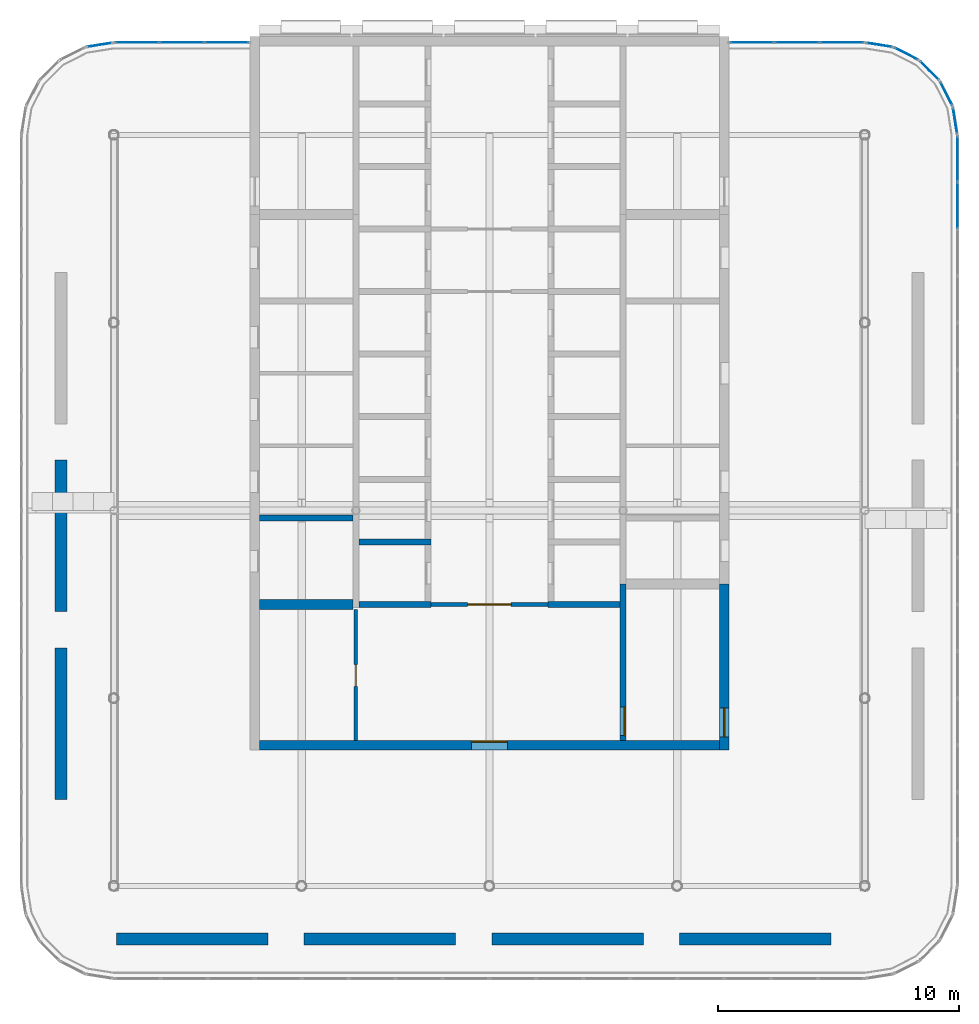
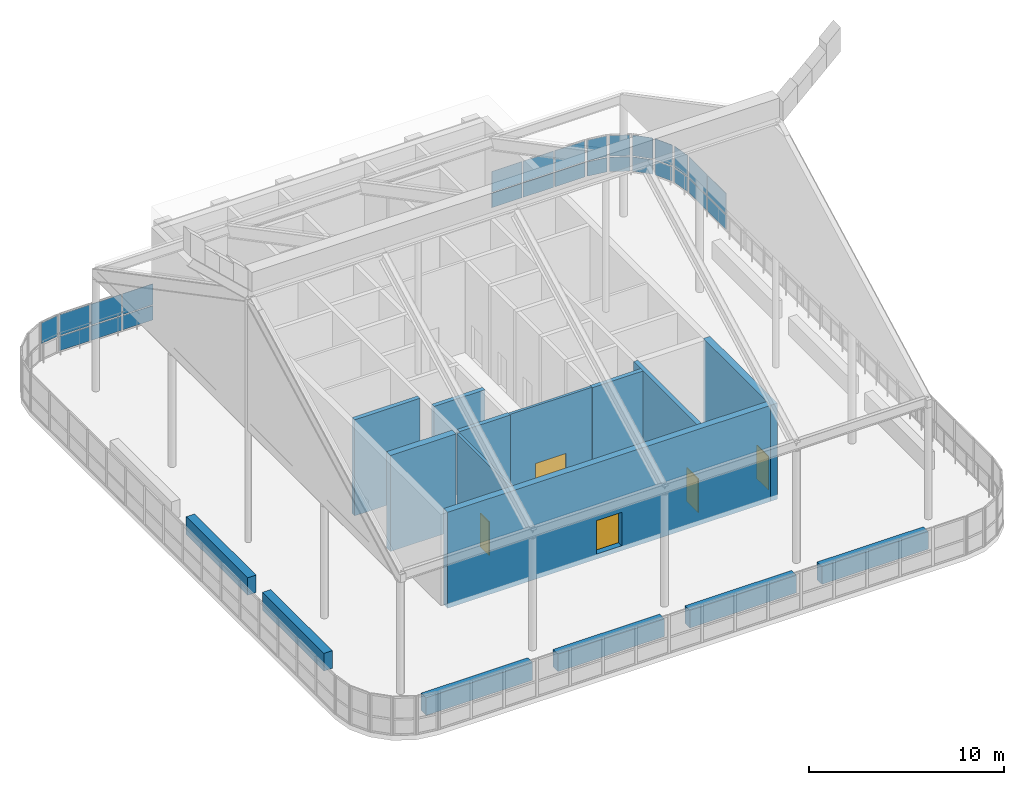
# One storey, part 15 of 19: 27 plates, 16 walls, 5 doors, 5 openings, 9 elements without a shape of their own.
"""IFC4 building model written with IfcOpenShell, lengths in metres."""

from ifc_helpers import new_model, si_unit, direction, frame, frame_2d, origin, origin_2d, place, context, subcontext, project, spatial, rectangle, extrude, material, layer, layer_set, type_object, element, fill, aggregate, save


model = new_model("IFC4")

# Units and contexts
model_context = context("Model", 3, precision=1e-05, world=origin(), true_north=direction((0.0, 1.0)))
body_context = subcontext(model_context, "Body", "Model", "MODEL_VIEW")
ifc_project = project(units=[si_unit("LENGTHUNIT", "METRE"), si_unit("AREAUNIT", "SQUARE_METRE"), si_unit("VOLUMEUNIT", "CUBIC_METRE"), si_unit("PLANEANGLEUNIT", "RADIAN"), si_unit("MASSUNIT", "GRAM", prefix="KILO")], contexts=[model_context])

# Site, building, storey
site_placement = place(None, origin())
site = spatial("IfcSite", under=ifc_project, at=site_placement, CompositionType="ELEMENT")
building_placement = place(site_placement, origin())
building = spatial("IfcBuilding", under=site, at=building_placement, Name="Ludao Terraces", CompositionType="ELEMENT")
storey_placement = place(building_placement, frame((0.0, 0.0, 266.39990234375)))
storey = spatial("IfcBuildingStorey", under=building, at=storey_placement, Name="L73", CompositionType="ELEMENT", Elevation=266.39990234375)

# Curtain wall, plates
ifc_material_1 = material(Name="Aluminium curtain wall with fritted glass", Category="aluminium")
curtain_wall_type = type_object("IfcCurtainWallType", Name="ENV CW6 crown screen glazing", PredefinedType="NOTDEFINED", material=ifc_material_1)
curtain_wall_1_placement = place(storey_placement, origin())
curtain_wall_1 = element("IfcCurtainWall", 1, at=curtain_wall_1_placement, inside=storey, type_object=curtain_wall_type, Name="Deck windscreen E1", PredefinedType="NOTDEFINED")
ifc_material_2 = material(Name="Fritted glass panel", Category="glass")
ifc_layer_1 = layer(ifc_material_2, 0.030029296875)
ifc_layer_set_1 = layer_set([ifc_layer_1], Name="ENV CW6 glass panel")
plate_type = type_object("IfcPlateType", Name="ENV CW6 glass panel", PredefinedType="CURTAIN_PANEL", material=ifc_layer_set_1)
plate_1_placement = place(storey_placement, frame((104.43994140625, 77.675048828125, 0.070068359375), z_axis=(0.0, 0.0, 1.0), x_axis=(0.0, 1.0, 0.0)))
plate_1 = element("IfcPlate", 2, at=plate_1_placement, type_object=plate_type, Name="CW6 panel 15.1", PredefinedType="CURTAIN_PANEL", context=body_context, shape_type="SweptSolid", body=[
    extrude(rectangle(XDim=1.8798828125, YDim=0.030029296875, at=origin_2d()), origin(), (0.0, 0.0, 1.0), 0.89501953125),
])
plate_2_placement = place(storey_placement, frame((104.43994140625, 77.675048828125, 1.03515625), z_axis=(0.0, 0.0, 1.0), x_axis=(0.0, 1.0, 0.0)))
plate_2 = element("IfcPlate", 3, at=plate_2_placement, type_object=plate_type, Name="CW6 panel 15.2", PredefinedType="CURTAIN_PANEL", context=body_context, shape_type="SweptSolid", body=[
    extrude(rectangle(XDim=1.8798828125, YDim=0.030029296875, at=origin_2d()), origin(), (0.0, 0.0, 1.0), 1.294921875),
])
plate_3_placement = place(storey_placement, frame((104.43994140625, 79.607421875, 0.070068359375), z_axis=(0.0, 0.0, 1.0), x_axis=(0.0, 1.0, 0.0)))
plate_3 = element("IfcPlate", 4, at=plate_3_placement, type_object=plate_type, Name="CW6 panel 16.1", PredefinedType="CURTAIN_PANEL", context=body_context, shape_type="SweptSolid", body=[
    extrude(rectangle(XDim=1.844970703125, YDim=0.030029296875, at=origin_2d()), origin(), (0.0, 0.0, 1.0), 0.89501953125),
])
plate_4_placement = place(storey_placement, frame((104.43994140625, 79.607421875, 1.03515625), z_axis=(0.0, 0.0, 1.0), x_axis=(0.0, 1.0, 0.0)))
plate_4 = element("IfcPlate", 5, at=plate_4_placement, type_object=plate_type, Name="CW6 panel 16.2", PredefinedType="CURTAIN_PANEL", context=body_context, shape_type="SweptSolid", body=[
    extrude(rectangle(XDim=1.844970703125, YDim=0.030029296875, at=origin_2d()), origin(), (0.0, 0.0, 1.0), 1.294921875),
])
aggregate(curtain_wall_1, [plate_1, plate_2, plate_3, plate_4])

curtain_wall_2_placement = place(storey_placement, origin())
curtain_wall_2 = element("IfcCurtainWall", 6, at=curtain_wall_2_placement, inside=storey, type_object=curtain_wall_type, Name="Deck windscreen N1", PredefinedType="NOTDEFINED")
plate_5_placement = place(storey_placement, frame((70.359130859375, 84.43994140625, 0.070068359375), z_axis=(0.0, 0.0, 1.0), x_axis=(1.0, 0.0, 0.0)))
plate_5 = element("IfcPlate", 7, at=plate_5_placement, type_object=plate_type, Name="CW6 panel 1.1", PredefinedType="CURTAIN_PANEL", context=body_context, shape_type="SweptSolid", body=[
    extrude(rectangle(XDim=1.7783203125, YDim=0.030029296875, at=origin_2d()), origin(), (0.0, 0.0, 1.0), 0.89501953125),
])
plate_6_placement = place(storey_placement, frame((70.359130859375, 84.43994140625, 1.03515625), z_axis=(0.0, 0.0, 1.0), x_axis=(1.0, 0.0, 0.0)))
plate_6 = element("IfcPlate", 8, at=plate_6_placement, type_object=plate_type, Name="CW6 panel 1.2", PredefinedType="CURTAIN_PANEL", context=body_context, shape_type="SweptSolid", body=[
    extrude(rectangle(XDim=1.7783203125, YDim=0.030029296875, at=origin_2d()), origin(), (0.0, 0.0, 1.0), 1.294921875),
])
plate_7_placement = place(storey_placement, frame((72.22509765625, 84.43994140625, 0.070068359375), z_axis=(0.0, 0.0, 1.0), x_axis=(1.0, 0.0, 0.0)))
plate_7 = element("IfcPlate", 9, at=plate_7_placement, type_object=plate_type, Name="CW6 panel 2.1", PredefinedType="CURTAIN_PANEL", context=body_context, shape_type="SweptSolid", body=[
    extrude(rectangle(XDim=1.813232421875, YDim=0.030029296875, at=origin_2d()), origin(), (0.0, 0.0, 1.0), 0.89501953125),
])
plate_8_placement = place(storey_placement, frame((72.22509765625, 84.43994140625, 1.03515625), z_axis=(0.0, 0.0, 1.0), x_axis=(1.0, 0.0, 0.0)))
plate_8 = element("IfcPlate", 10, at=plate_8_placement, type_object=plate_type, Name="CW6 panel 2.2", PredefinedType="CURTAIN_PANEL", context=body_context, shape_type="SweptSolid", body=[
    extrude(rectangle(XDim=1.813232421875, YDim=0.030029296875, at=origin_2d()), origin(), (0.0, 0.0, 1.0), 1.294921875),
])
plate_9_placement = place(storey_placement, frame((74.0908203125, 84.43994140625, 0.070068359375), z_axis=(0.0, 0.0, 1.0), x_axis=(1.0, 0.0, 0.0)))
plate_9 = element("IfcPlate", 11, at=plate_9_placement, type_object=plate_type, Name="CW6 panel 3.1", PredefinedType="CURTAIN_PANEL", context=body_context, shape_type="SweptSolid", body=[
    extrude(rectangle(XDim=1.7783203125, YDim=0.030029296875, at=origin_2d()), origin(), (0.0, 0.0, 1.0), 0.89501953125),
])
plate_10_placement = place(storey_placement, frame((74.0908203125, 84.43994140625, 1.03515625), z_axis=(0.0, 0.0, 1.0), x_axis=(1.0, 0.0, 0.0)))
plate_10 = element("IfcPlate", 12, at=plate_10_placement, type_object=plate_type, Name="CW6 panel 3.2", PredefinedType="CURTAIN_PANEL", context=body_context, shape_type="SweptSolid", body=[
    extrude(rectangle(XDim=1.7783203125, YDim=0.030029296875, at=origin_2d()), origin(), (0.0, 0.0, 1.0), 1.294921875),
])
aggregate(curtain_wall_2, [plate_5, plate_6, plate_7, plate_8, plate_9, plate_10])

curtain_wall_3_placement = place(storey_placement, origin())
curtain_wall_3 = element("IfcCurtainWall", 13, at=curtain_wall_3_placement, inside=storey, type_object=curtain_wall_type, Name="Deck windscreen N2", PredefinedType="NOTDEFINED")
plate_11_placement = place(storey_placement, frame((95.9091796875, 84.43994140625, 0.070068359375), z_axis=(0.0, 0.0, 1.0), x_axis=(1.0, 0.0, 0.0)))
plate_11 = element("IfcPlate", 14, at=plate_11_placement, type_object=plate_type, Name="CW6 panel 1.1", PredefinedType="CURTAIN_PANEL", context=body_context, shape_type="SweptSolid", body=[
    extrude(rectangle(XDim=1.7783203125, YDim=0.030029296875, at=origin_2d()), origin(), (0.0, 0.0, 1.0), 0.89501953125),
])
plate_12_placement = place(storey_placement, frame((95.9091796875, 84.43994140625, 1.03515625), z_axis=(0.0, 0.0, 1.0), x_axis=(1.0, 0.0, 0.0)))
plate_12 = element("IfcPlate", 15, at=plate_12_placement, type_object=plate_type, Name="CW6 panel 1.2", PredefinedType="CURTAIN_PANEL", context=body_context, shape_type="SweptSolid", body=[
    extrude(rectangle(XDim=1.7783203125, YDim=0.030029296875, at=origin_2d()), origin(), (0.0, 0.0, 1.0), 1.294921875),
])
plate_13_placement = place(storey_placement, frame((97.77490234375, 84.43994140625, 0.070068359375), z_axis=(0.0, 0.0, 1.0), x_axis=(1.0, 0.0, 0.0)))
plate_13 = element("IfcPlate", 16, at=plate_13_placement, type_object=plate_type, Name="CW6 panel 2.1", PredefinedType="CURTAIN_PANEL", context=body_context, shape_type="SweptSolid", body=[
    extrude(rectangle(XDim=1.813232421875, YDim=0.030029296875, at=origin_2d()), origin(), (0.0, 0.0, 1.0), 0.89501953125),
])
plate_14_placement = place(storey_placement, frame((97.77490234375, 84.43994140625, 1.03515625), z_axis=(0.0, 0.0, 1.0), x_axis=(1.0, 0.0, 0.0)))
plate_14 = element("IfcPlate", 17, at=plate_14_placement, type_object=plate_type, Name="CW6 panel 2.2", PredefinedType="CURTAIN_PANEL", context=body_context, shape_type="SweptSolid", body=[
    extrude(rectangle(XDim=1.813232421875, YDim=0.030029296875, at=origin_2d()), origin(), (0.0, 0.0, 1.0), 1.294921875),
])
plate_15_placement = place(storey_placement, frame((99.640869140625, 84.43994140625, 0.070068359375), z_axis=(0.0, 0.0, 1.0), x_axis=(1.0, 0.0, 0.0)))
plate_15 = element("IfcPlate", 18, at=plate_15_placement, type_object=plate_type, Name="CW6 panel 3.1", PredefinedType="CURTAIN_PANEL", context=body_context, shape_type="SweptSolid", body=[
    extrude(rectangle(XDim=1.7783203125, YDim=0.030029296875, at=origin_2d()), origin(), (0.0, 0.0, 1.0), 0.89501953125),
])
plate_16_placement = place(storey_placement, frame((99.640869140625, 84.43994140625, 1.03515625), z_axis=(0.0, 0.0, 1.0), x_axis=(1.0, 0.0, 0.0)))
plate_16 = element("IfcPlate", 19, at=plate_16_placement, type_object=plate_type, Name="CW6 panel 3.2", PredefinedType="CURTAIN_PANEL", context=body_context, shape_type="SweptSolid", body=[
    extrude(rectangle(XDim=1.7783203125, YDim=0.030029296875, at=origin_2d()), origin(), (0.0, 0.0, 1.0), 1.294921875),
])
aggregate(curtain_wall_3, [plate_11, plate_12, plate_13, plate_14, plate_15, plate_16])

curtain_wall_4_placement = place(storey_placement, origin())
curtain_wall_4 = element("IfcCurtainWall", 20, at=curtain_wall_4_placement, inside=storey, type_object=curtain_wall_type, Name="Deck windscreen NE1", PredefinedType="NOTDEFINED")
plate_17_placement = place(storey_placement, frame((104.345947265625, 81.193359375, 0.070068359375), z_axis=(0.0, 0.0, 1.0), x_axis=(-0.1564345166, 0.987688332429, 0.0)))
plate_17 = element("IfcPlate", 21, at=plate_17_placement, type_object=plate_type, Name="CW6 panel 1.1", PredefinedType="CURTAIN_PANEL", context=body_context, shape_type="SweptSolid", body=[
    extrude(rectangle(XDim=1.0615234375, YDim=0.030029296875, at=origin_2d()), origin(), (0.0, 0.0, 1.0), 0.89501953125),
])
plate_18_placement = place(storey_placement, frame((104.345947265625, 81.193359375, 1.03515625), z_axis=(0.0, 0.0, 1.0), x_axis=(-0.1564345166, 0.987688332429, 0.0)))
plate_18 = element("IfcPlate", 22, at=plate_18_placement, type_object=plate_type, Name="CW6 panel 1.2", PredefinedType="CURTAIN_PANEL", context=body_context, shape_type="SweptSolid", body=[
    extrude(rectangle(XDim=1.0615234375, YDim=0.030029296875, at=origin_2d()), origin(), (0.0, 0.0, 1.0), 1.294921875),
])
aggregate(curtain_wall_4, [plate_17, plate_18])

curtain_wall_5_placement = place(storey_placement, origin())
curtain_wall_5 = element("IfcCurtainWall", 23, at=curtain_wall_5_placement, inside=storey, type_object=curtain_wall_type, Name="Deck windscreen NE2", PredefinedType="NOTDEFINED")
plate_19_placement = place(storey_placement, frame((103.979248046875, 82.32177734375, 0.070068359375), z_axis=(0.0, 0.0, 1.0), x_axis=(-0.453990692743, 0.891006425848, 0.0)))
plate_19 = element("IfcPlate", 24, at=plate_19_placement, type_object=plate_type, Name="CW6 panel 1.1", PredefinedType="CURTAIN_PANEL", context=body_context, shape_type="SweptSolid", body=[
    extrude(rectangle(XDim=1.0615234375, YDim=0.030029296875, at=origin_2d()), origin(), (0.0, 0.0, 1.0), 0.89501953125),
])
plate_20_placement = place(storey_placement, frame((103.979248046875, 82.32177734375, 1.03515625), z_axis=(0.0, 0.0, 1.0), x_axis=(-0.453990692743, 0.891006425848, 0.0)))
plate_20 = element("IfcPlate", 25, at=plate_20_placement, type_object=plate_type, Name="CW6 panel 1.2", PredefinedType="CURTAIN_PANEL", context=body_context, shape_type="SweptSolid", body=[
    extrude(rectangle(XDim=1.0615234375, YDim=0.030029296875, at=origin_2d()), origin(), (0.0, 0.0, 1.0), 1.294921875),
])
aggregate(curtain_wall_5, [plate_19, plate_20])

curtain_wall_6_placement = place(storey_placement, origin())
curtain_wall_6 = element("IfcCurtainWall", 26, at=curtain_wall_6_placement, inside=storey, type_object=curtain_wall_type, Name="Deck windscreen NE3", PredefinedType="NOTDEFINED")
plate_21_placement = place(storey_placement, frame((103.28173828125, 83.28173828125, 0.070068359375), z_axis=(0.0, 0.0, 1.0), x_axis=(-0.707106781187, 0.707106781187, 0.0)))
plate_21 = element("IfcPlate", 27, at=plate_21_placement, type_object=plate_type, Name="CW6 panel 1.1", PredefinedType="CURTAIN_PANEL", context=body_context, shape_type="SweptSolid", body=[
    extrude(rectangle(XDim=1.0615234375, YDim=0.030029296875, at=origin_2d()), origin(), (0.0, 0.0, 1.0), 0.89501953125),
])
plate_22_placement = place(storey_placement, frame((103.28173828125, 83.28173828125, 1.03515625), z_axis=(0.0, 0.0, 1.0), x_axis=(-0.707106781187, 0.707106781187, 0.0)))
plate_22 = element("IfcPlate", 28, at=plate_22_placement, type_object=plate_type, Name="CW6 panel 1.2", PredefinedType="CURTAIN_PANEL", context=body_context, shape_type="SweptSolid", body=[
    extrude(rectangle(XDim=1.0615234375, YDim=0.030029296875, at=origin_2d()), origin(), (0.0, 0.0, 1.0), 1.294921875),
])
aggregate(curtain_wall_6, [plate_21, plate_22])

curtain_wall_7_placement = place(storey_placement, origin())
curtain_wall_7 = element("IfcCurtainWall", 29, at=curtain_wall_7_placement, inside=storey, type_object=curtain_wall_type, Name="Deck windscreen NE4", PredefinedType="NOTDEFINED")
plate_23_placement = place(storey_placement, frame((102.32177734375, 83.979248046875, 0.070068359375), z_axis=(0.0, 0.0, 1.0), x_axis=(-0.891006425848, 0.453990692743, 0.0)))
plate_23 = element("IfcPlate", 30, at=plate_23_placement, type_object=plate_type, Name="CW6 panel 1.1", PredefinedType="CURTAIN_PANEL", context=body_context, shape_type="SweptSolid", body=[
    extrude(rectangle(XDim=1.0615234375, YDim=0.030029296875, at=origin_2d()), origin(), (0.0, 0.0, 1.0), 0.89501953125),
])
plate_24_placement = place(storey_placement, frame((102.32177734375, 83.979248046875, 1.03515625), z_axis=(0.0, 0.0, 1.0), x_axis=(-0.891006425848, 0.453990692743, 0.0)))
plate_24 = element("IfcPlate", 31, at=plate_24_placement, type_object=plate_type, Name="CW6 panel 1.2", PredefinedType="CURTAIN_PANEL", context=body_context, shape_type="SweptSolid", body=[
    extrude(rectangle(XDim=1.0615234375, YDim=0.030029296875, at=origin_2d()), origin(), (0.0, 0.0, 1.0), 1.294921875),
])
aggregate(curtain_wall_7, [plate_23, plate_24])

curtain_wall_8_placement = place(storey_placement, origin())
curtain_wall_8 = element("IfcCurtainWall", 32, at=curtain_wall_8_placement, inside=storey, type_object=curtain_wall_type, Name="Deck windscreen NE5", PredefinedType="NOTDEFINED")
plate_25_placement = place(storey_placement, frame((101.193359375, 84.345947265625, 0.070068359375), z_axis=(0.0, 0.0, 1.0), x_axis=(-0.987688332429, 0.1564345166, 0.0)))
plate_25 = element("IfcPlate", 33, at=plate_25_placement, type_object=plate_type, Name="CW6 panel 1.1", PredefinedType="CURTAIN_PANEL", context=body_context, shape_type="SweptSolid", body=[
    extrude(rectangle(XDim=1.0615234375, YDim=0.030029296875, at=origin_2d()), origin(), (0.0, 0.0, 1.0), 0.89501953125),
])
plate_26_placement = place(storey_placement, frame((101.193359375, 84.345947265625, 1.03515625), z_axis=(0.0, 0.0, 1.0), x_axis=(-0.987688332429, 0.1564345166, 0.0)))
plate_26 = element("IfcPlate", 34, at=plate_26_placement, type_object=plate_type, Name="CW6 panel 1.2", PredefinedType="CURTAIN_PANEL", context=body_context, shape_type="SweptSolid", body=[
    extrude(rectangle(XDim=1.0615234375, YDim=0.030029296875, at=origin_2d()), origin(), (0.0, 0.0, 1.0), 1.294921875),
])
aggregate(curtain_wall_8, [plate_25, plate_26])

# Curtain wall, plate
curtain_wall_9_placement = place(storey_placement, origin())
curtain_wall_9 = element("IfcCurtainWall", 35, at=curtain_wall_9_placement, inside=storey, type_object=curtain_wall_type, Name="Deck windscreen NW1", PredefinedType="NOTDEFINED")
plate_27_placement = place(storey_placement, frame((68.806640625, 84.345947265625, 1.03515625), z_axis=(0.0, 0.0, 1.0), x_axis=(-0.987688332429, -0.1564345166, 0.0)))
plate_27 = element("IfcPlate", 36, at=plate_27_placement, type_object=plate_type, Name="CW6 panel 1.2", PredefinedType="CURTAIN_PANEL", context=body_context, shape_type="SweptSolid", body=[
    extrude(rectangle(XDim=1.0615234375, YDim=0.030029296875, at=origin_2d()), origin(), (0.0, 0.0, 1.0), 1.294921875),
])
aggregate(curtain_wall_9, [plate_27])

# Wall, opening, door
ifc_material_3 = material(Name="Concrete C50", Category="concrete")
ifc_layer_2 = layer(ifc_material_3, 0.39990234375)
ifc_layer_set_2 = layer_set([ifc_layer_2], Name="Core wall 400 C50")
wall_type_1 = type_object("IfcWallType", Name="Core wall 400 C50", PredefinedType="SOLIDWALL", material=ifc_layer_set_2)
wall_1_placement = place(storey_placement, frame((94.75, 55.050048828125, -0.2998046875), z_axis=(0.0, 0.0, 1.0), x_axis=(0.0, 1.0, 0.0)))
wall_1 = element("IfcWall", 37, at=wall_1_placement, inside=storey, type_object=wall_type_1, Name="Core wall L73 outer-E-S3", PredefinedType="SOLIDWALL", context=body_context, shape_type="SweptSolid", body=[
    extrude(rectangle(XDim=6.89990234375, YDim=0.39990234375, at=frame_2d((3.449951171875, 0.0))), origin(), (0.0, 0.0, 1.0), 6.0),
])
opening_1_placement = place(wall_1_placement, frame((0.550048828125, 0.0, 0.300048828125)))
opening_1 = element("IfcOpeningElement", 38, at=opening_1_placement, cuts=wall_1, Name="Opening DD", PredefinedType="OPENING", context=body_context, shape_type="SweptSolid", body=[
    extrude(rectangle(XDim=1.199951171875, YDim=2.10009765625, at=frame_2d((0.60009765625, 1.050048828125))), frame((0.0, 0.2099609375, 0.0), z_axis=(0.0, -1.0, 0.0), x_axis=(1.0, 0.0, 0.0)), (0.0, 0.0, 1.0), 0.419921875),
])
ifc_material_4 = material(Name="Aluminium glazed door", Category="aluminium")
ifc_layer_3 = layer(ifc_material_4, 0.06005859375)
ifc_layer_set_3 = layer_set([ifc_layer_3], Name="ENV Deck door DD 1200x2100")
door_type_1 = type_object("IfcDoorType", Name="ENV Deck door DD 1200x2100", OperationType="DOUBLE_DOOR_SINGLE_SWING", PredefinedType="DOOR", material=ifc_layer_set_3)
door_1_placement = place(opening_1_placement, origin())
door_1 = element("IfcDoor", 39, at=door_1_placement, inside=storey, type_object=door_type_1, Name="EX-L73-S3", OperationType="DOUBLE_DOOR_SINGLE_SWING", OverallHeight=2.10009765625, OverallWidth=1.199951171875, PredefinedType="DOOR", context=body_context, shape_type="SweptSolid", body=[
    extrude(rectangle(XDim=1.199951171875, YDim=2.10009765625, at=frame_2d((0.60009765625, 1.050048828125))), frame((0.0, 0.02490234375, 0.0), z_axis=(0.0, -1.0, 0.0), x_axis=(1.0, 0.0, 0.0)), (0.0, 0.0, 1.0), 0.050048828125),
])
fill(opening_1, door_1)

wall_2_placement = place(storey_placement, frame((75.449951171875, 55.25, -0.2998046875), z_axis=(0.0, 0.0, 1.0), x_axis=(1.0, 0.0, 0.0)))
wall_2 = element("IfcWall", 40, at=wall_2_placement, inside=storey, type_object=wall_type_1, Name="Core wall L73 outer-S", PredefinedType="SOLIDWALL", context=body_context, shape_type="SweptSolid", body=[
    extrude(rectangle(XDim=19.10009765625, YDim=0.39990234375, at=frame_2d((9.550048828125, 0.0))), origin(), (0.0, 0.0, 1.0), 6.0),
])
opening_2_placement = place(wall_2_placement, frame((8.800048828125, 0.0, 0.300048828125)))
opening_2 = element("IfcOpeningElement", 41, at=opening_2_placement, cuts=wall_2, Name="Opening L73-001", PredefinedType="OPENING", context=body_context, shape_type="SweptSolid", body=[
    extrude(rectangle(XDim=1.5, YDim=2.10009765625, at=frame_2d((0.75, 1.050048828125))), frame((0.0, 0.2099609375, 0.0), z_axis=(0.0, -1.0, 0.0), x_axis=(1.0, 0.0, 0.0)), (0.0, 0.0, 1.0), 0.419921875),
])
ifc_material_5 = material(Name="Steel Q235", Category="steel")
door_type_2 = type_object("IfcDoorType", Name="INT Lobby door 1500", OperationType="DOUBLE_DOOR_SINGLE_SWING", PredefinedType="DOOR", material=ifc_material_5)
door_2_placement = place(opening_2_placement, origin())
door_2 = element("IfcDoor", 42, at=door_2_placement, inside=storey, type_object=door_type_2, Name="DOOR 001", OperationType="DOUBLE_DOOR_SINGLE_SWING", OverallHeight=2.10009765625, OverallWidth=1.5, PredefinedType="DOOR", context=body_context, shape_type="SweptSolid", body=[
    extrude(rectangle(XDim=1.5, YDim=2.10009765625, at=frame_2d((0.75, 1.050048828125))), frame((0.0, 0.18505859375, 0.0), z_axis=(0.0, -1.0, 0.0), x_axis=(1.0, 0.0, 0.0)), (0.0, 0.0, 1.0), 0.050048828125),
])
fill(opening_2, door_2)

# Walls
ifc_material_6 = material(Name="Concrete C40", Category="concrete")
ifc_layer_4 = layer(ifc_material_6, 0.5)
ifc_layer_set_4 = layer_set([ifc_layer_4], Name="ENV Deck planter 500")
wall_type_2 = type_object("IfcWallType", Name="ENV Deck planter 500", PredefinedType="USERDEFINED", material=ifc_layer_set_4)
for number, where, z_axis, x_axis, name in (
    (43, (69.5, 47.199951171875, 0.0), (0.0, 0.0, 1.0), (1.0, 0.0, 0.0), "PL-L73-1"),
    (44, (77.300048828125, 47.199951171875, 0.0), (0.0, 0.0, 1.0), (1.0, 0.0, 0.0), "PL-L73-2"),
):
    element("IfcWall", number, at=place(storey_placement, frame(where, z_axis=z_axis, x_axis=x_axis)), inside=storey, type_object=wall_type_2, Name=name, ObjectType="PLANTER", PredefinedType="USERDEFINED", context=body_context, shape_type="SweptSolid", body=[
        extrude(rectangle(XDim=6.300048828125, YDim=0.5, at=frame_2d((3.14990234375, 0.0))), origin(), (0.0, 0.0, 1.0), 1.10009765625),
    ])
wall_3_placement = place(storey_placement, frame((85.10009765625, 47.199951171875, 0.0), z_axis=(0.0, 0.0, 1.0), x_axis=(1.0, 0.0, 0.0)))
element("IfcWall", 45, at=wall_3_placement, inside=storey, type_object=wall_type_2, Name="PL-L73-3", ObjectType="PLANTER", PredefinedType="USERDEFINED", context=body_context, shape_type="SweptSolid", body=[
    extrude(rectangle(XDim=6.2998046875, YDim=0.5, at=frame_2d((3.14990234375, 0.0))), origin(), (0.0, 0.0, 1.0), 1.10009765625),
])
for number, where, z_axis, x_axis, name in (
    (46, (92.89990234375, 47.199951171875, 0.0), (0.0, 0.0, 1.0), (1.0, 0.0, 0.0), "PL-L73-4"),
    (47, (67.199951171875, 53.0, 0.0), (0.0, 0.0, 1.0), (0.0, 1.0, 0.0), "PL-L73-5"),
    (48, (67.199951171875, 60.800048828125, 0.0), (0.0, 0.0, 1.0), (0.0, 1.0, 0.0), "PL-L73-6"),
):
    element("IfcWall", number, at=place(storey_placement, frame(where, z_axis=z_axis, x_axis=x_axis)), inside=storey, type_object=wall_type_2, Name=name, ObjectType="PLANTER", PredefinedType="USERDEFINED", context=body_context, shape_type="SweptSolid", body=[
        extrude(rectangle(XDim=6.300048828125, YDim=0.5, at=frame_2d((3.14990234375, 0.0))), origin(), (0.0, 0.0, 1.0), 1.10009765625),
    ])

# Wall, opening, door
ifc_material_7 = material(Name="Fire-rated gypsum plasterboard", Category="gypsum")
ifc_layer_5 = layer(ifc_material_7, 0.012451171875, Category="gypsum")
ifc_material_8 = material(Name="Mineral wool")
ifc_layer_6 = layer(ifc_material_8, 0.10009765625, Name="insulation")
ifc_layer_7 = layer(ifc_material_5, 0.02490234375, Name="stud")
ifc_layer_8 = layer(ifc_material_7, 0.012451171875, Category="gypsum")
ifc_layer_set_5 = layer_set([ifc_layer_5, ifc_layer_6, ifc_layer_7, ifc_layer_8], Name="INT Core partition 150")
wall_type_3 = type_object("IfcWallType", Name="INT Core partition 150", PredefinedType="PARTITIONING", material=ifc_layer_set_5)
wall_4_placement = place(storey_placement, frame((82.5751953125, 61.10009765625, 0.0), z_axis=(0.0, 0.0, 1.0), x_axis=(1.0, 0.0, 0.0)))
wall_4 = element("IfcWall", 49, at=wall_4_placement, inside=storey, type_object=wall_type_3, Name="PW-L73-PW000", PredefinedType="PARTITIONING", context=body_context, shape_type="SweptSolid", body=[
    extrude(rectangle(XDim=4.849853515625, YDim=0.14990234375, at=frame_2d((2.4248046875, 0.0))), origin(), (0.0, 0.0, 1.0), 5.7001953125),
])
opening_3_placement = place(wall_4_placement, frame((1.52490234375, 0.0, 0.0)))
opening_3 = element("IfcOpeningElement", 50, at=opening_3_placement, cuts=wall_4, Name="Opening L73-004", PredefinedType="OPENING", context=body_context, shape_type="SweptSolid", body=[
    extrude(rectangle(XDim=1.800048828125, YDim=2.10009765625, at=frame_2d((0.89990234375, 1.050048828125))), frame((0.0, 0.0849609375, 0.0), z_axis=(0.0, -1.0, 0.0), x_axis=(1.0, 0.0, 0.0)), (0.0, 0.0, 1.0), 0.169921875),
])
door_type_3 = type_object("IfcDoorType", Name="INT Fire lobby door 1800", OperationType="DOUBLE_DOOR_SINGLE_SWING", PredefinedType="DOOR", material=ifc_material_5)
door_3_placement = place(opening_3_placement, origin())
door_3 = element("IfcDoor", 51, at=door_3_placement, inside=storey, type_object=door_type_3, Name="DOOR 004", OperationType="DOUBLE_DOOR_SINGLE_SWING", OverallHeight=2.10009765625, OverallWidth=1.800048828125, PredefinedType="DOOR", context=body_context, shape_type="SweptSolid", body=[
    extrude(rectangle(XDim=1.800048828125, YDim=2.10009765625, at=frame_2d((0.89990234375, 1.050048828125))), frame((0.0, 0.02490234375, 0.0), z_axis=(0.0, -1.0, 0.0), x_axis=(1.0, 0.0, 0.0)), (0.0, 0.0, 1.0), 0.050048828125),
])
fill(opening_3, door_3)

wall_5_placement = place(storey_placement, frame((79.449951171875, 55.4501953125, 0.0), z_axis=(0.0, 0.0, 1.0), x_axis=(0.0, 1.0, 0.0)))
wall_5 = element("IfcWall", 52, at=wall_5_placement, inside=storey, type_object=wall_type_3, Name="PW-L73-PW006", PredefinedType="PARTITIONING", context=body_context, shape_type="SweptSolid", body=[
    extrude(rectangle(XDim=5.449951171875, YDim=0.14990234375, at=frame_2d((2.72509765625, 0.0))), origin(), (0.0, 0.0, 1.0), 5.7001953125),
])
opening_4_placement = place(wall_5_placement, frame((2.25, 0.0, 0.0)))
opening_4 = element("IfcOpeningElement", 53, at=opening_4_placement, cuts=wall_5, Name="Opening L73-003", PredefinedType="OPENING", context=body_context, shape_type="SweptSolid", body=[
    extrude(rectangle(XDim=0.89990234375, YDim=2.10009765625, at=frame_2d((0.449951171875, 1.050048828125))), frame((0.0, 0.0849609375, 0.0), z_axis=(0.0, -1.0, 0.0), x_axis=(1.0, 0.0, 0.0)), (0.0, 0.0, 1.0), 0.169921875),
])
ifc_material_9 = material(Name="Timber door leaf", Category="wood")
door_type_4 = type_object("IfcDoorType", Name="INT Room door 900", OperationType="SINGLE_SWING_LEFT", PredefinedType="DOOR", material=ifc_material_9)
door_4_placement = place(opening_4_placement, origin())
door_4 = element("IfcDoor", 54, at=door_4_placement, inside=storey, type_object=door_type_4, Name="DOOR 003", OperationType="SINGLE_SWING_LEFT", OverallHeight=2.10009765625, OverallWidth=0.89990234375, PredefinedType="DOOR", context=body_context, shape_type="SweptSolid", body=[
    extrude(rectangle(XDim=0.89990234375, YDim=2.10009765625, at=frame_2d((0.449951171875, 1.050048828125))), frame((0.0, 0.02490234375, 0.0), z_axis=(0.0, -1.0, 0.0), x_axis=(1.0, 0.0, 0.0)), (0.0, 0.0, 1.0), 0.050048828125),
])
fill(opening_4, door_4)

ifc_layer_9 = layer(ifc_material_3, 0.25)
ifc_layer_set_6 = layer_set([ifc_layer_9], Name="Shaft wall 250 C50")
wall_type_4 = type_object("IfcWallType", Name="Shaft wall 250 C50", PredefinedType="SOLIDWALL", material=ifc_layer_set_6)
wall_6_placement = place(storey_placement, frame((90.550048828125, 55.449951171875, -0.2998046875), z_axis=(0.0, 0.0, 1.0), x_axis=(0.0, 1.0, 0.0)))
wall_6 = element("IfcWall", 55, at=wall_6_placement, inside=storey, type_object=wall_type_4, Name="Core wall L73 back-E-S3", PredefinedType="SOLIDWALL", context=body_context, shape_type="SweptSolid", body=[
    extrude(rectangle(XDim=6.5, YDim=0.25, at=frame_2d((3.25, 0.0))), origin(), (0.0, 0.0, 1.0), 6.0),
])
opening_5_placement = place(wall_6_placement, frame((0.199951171875, 0.0, 0.300048828125)))
opening_5 = element("IfcOpeningElement", 56, at=opening_5_placement, cuts=wall_6, Name="Opening L73-002", PredefinedType="OPENING", context=body_context, shape_type="SweptSolid", body=[
    extrude(rectangle(XDim=1.199951171875, YDim=2.10009765625, at=frame_2d((0.60009765625, 1.050048828125))), frame((0.0, 0.135009765625, 0.0), z_axis=(0.0, -1.0, 0.0), x_axis=(1.0, 0.0, 0.0)), (0.0, 0.0, 1.0), 0.27001953125),
])
door_type_5 = type_object("IfcDoorType", Name="INT Stair door 1200", OperationType="DOUBLE_DOOR_SINGLE_SWING", PredefinedType="DOOR", material=ifc_material_5)
door_5_placement = place(opening_5_placement, origin())
door_5 = element("IfcDoor", 57, at=door_5_placement, inside=storey, type_object=door_type_5, Name="DOOR 002", OperationType="DOUBLE_DOOR_SINGLE_SWING", OverallHeight=2.10009765625, OverallWidth=1.199951171875, PredefinedType="DOOR", context=body_context, shape_type="SweptSolid", body=[
    extrude(rectangle(XDim=1.199951171875, YDim=2.10009765625, at=frame_2d((0.60009765625, 1.050048828125))), frame((0.0, -0.06005859375, 0.0), z_axis=(0.0, -1.0, 0.0), x_axis=(1.0, 0.0, 0.0)), (0.0, 0.0, 1.0), 0.050048828125),
])
fill(opening_5, door_5)

# Walls
for number, where, z_axis, x_axis, name in (
    (58, (79.574951171875, 61.10009765625, -0.2998046875), (0.0, 0.0, 1.0), (1.0, 0.0, 0.0), "Core wall L73 div-W1"),
    (59, (79.574951171875, 63.699951171875, -0.2998046875), (0.0, 0.0, 1.0), (1.0, 0.0, 0.0), "Core wall L73 div-W2"),
    (60, (87.425048828125, 61.10009765625, -0.2998046875), (0.0, 0.0, 1.0), (1.0, 0.0, 0.0), "Core wall L73 div-E1"),
):
    element("IfcWall", number, at=place(storey_placement, frame(where, z_axis=z_axis, x_axis=x_axis)), inside=storey, type_object=wall_type_4, Name=name, PredefinedType="SOLIDWALL", context=body_context, shape_type="SweptSolid", body=[
        extrude(rectangle(XDim=3.0, YDim=0.25, at=frame_2d((1.5, 0.0))), origin(), (0.0, 0.0, 1.0), 6.0),
    ])
wall_7_placement = place(storey_placement, frame((75.449951171875, 64.699951171875, -0.2998046875), z_axis=(0.0, 0.0, 1.0), x_axis=(1.0, 0.0, 0.0)))
element("IfcWall", 61, at=wall_7_placement, inside=storey, type_object=wall_type_4, Name="Core wall L73 riser-a-W", PredefinedType="SOLIDWALL", context=body_context, shape_type="SweptSolid", body=[
    extrude(rectangle(XDim=3.875, YDim=0.25, at=frame_2d((1.9375, 0.0))), origin(), (0.0, 0.0, 1.0), 6.0),
])
ifc_layer_10 = layer(ifc_material_3, 0.39990234375)
ifc_layer_set_7 = layer_set([ifc_layer_10], Name="Shaft wall 400 C50")
wall_type_5 = type_object("IfcWallType", Name="Shaft wall 400 C50", PredefinedType="SOLIDWALL", material=ifc_layer_set_7)
wall_8_placement = place(storey_placement, frame((75.449951171875, 61.10009765625, -0.2998046875), z_axis=(0.0, 0.0, 1.0), x_axis=(1.0, 0.0, 0.0)))
element("IfcWall", 62, at=wall_8_placement, inside=storey, type_object=wall_type_5, Name="Core wall L73 hall-W", PredefinedType="SOLIDWALL", context=body_context, shape_type="SweptSolid", body=[
    extrude(rectangle(XDim=3.875, YDim=0.39990234375, at=frame_2d((1.9375, 0.0))), origin(), (0.0, 0.0, 1.0), 6.0),
])

save(model, "model.ifc")
